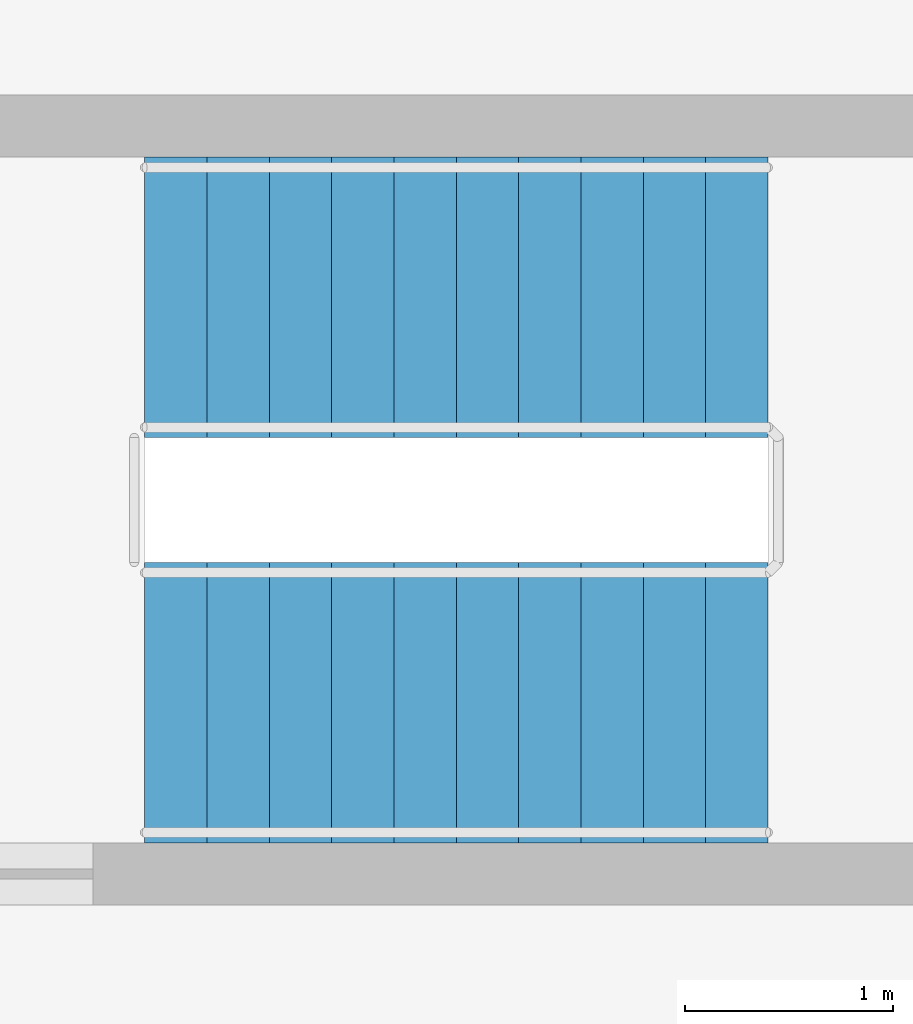
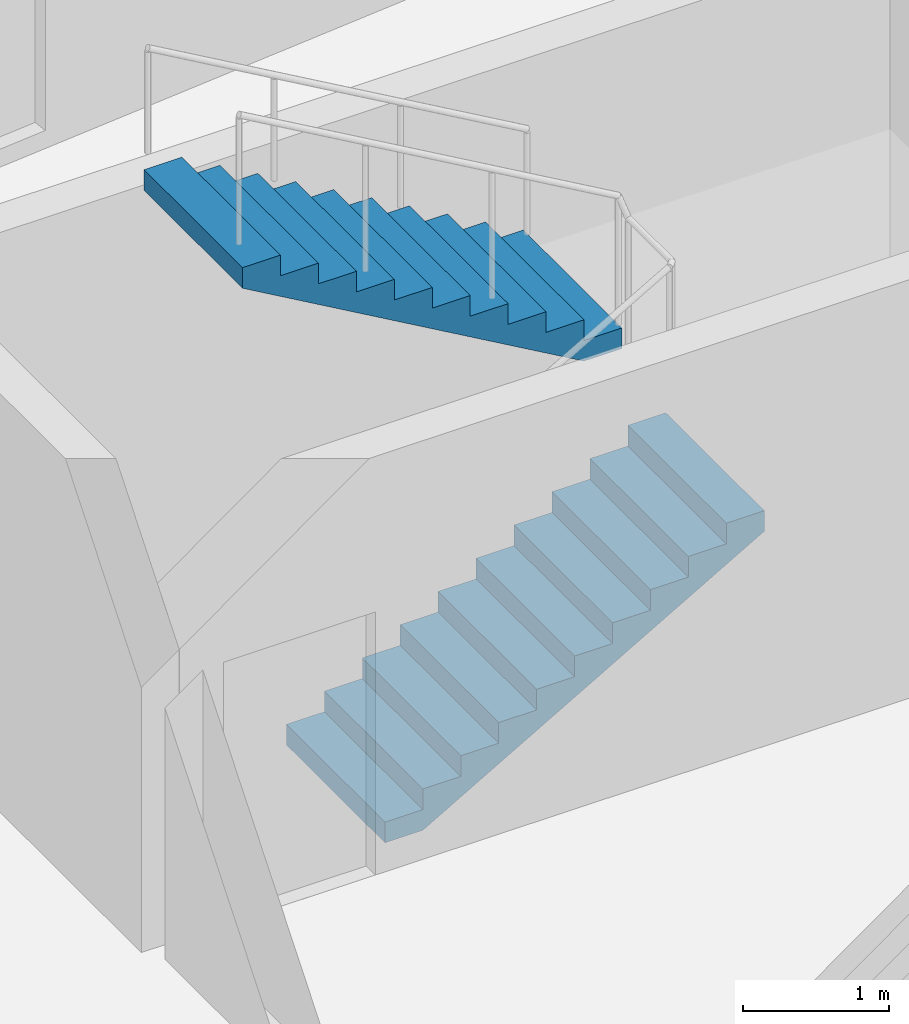
# One storey, part 9 of 11: 2 stair flights, 1 element without a shape of its own.
"""IFC4 building model written with IfcOpenShell, lengths in metres."""

from ifc_helpers import new_model, si_unit, direction, frame, origin, place, context, subcontext, project, spatial, polyline, outline, extrude, material, type_object, element, aggregate, save


model = new_model("IFC4")

# Units and contexts
model_context = context("Model", 3, precision=1e-05, world=origin(), true_north=direction((0.0, 1.0)))
body_context = subcontext(model_context, "Body", "Model", "MODEL_VIEW")
ifc_project = project(units=[si_unit("LENGTHUNIT", "METRE"), si_unit("AREAUNIT", "SQUARE_METRE"), si_unit("VOLUMEUNIT", "CUBIC_METRE"), si_unit("PLANEANGLEUNIT", "RADIAN"), si_unit("MASSUNIT", "GRAM", prefix="KILO")], contexts=[model_context])

# Site, building, storey
site_placement = place(None, origin())
site = spatial("IfcSite", under=ifc_project, at=site_placement, CompositionType="ELEMENT")
building_placement = place(site_placement, origin())
building = spatial("IfcBuilding", under=site, at=building_placement, Name="Brondeck Convention Tower", CompositionType="ELEMENT")
storey_placement = place(building_placement, frame((0.0, 0.0, 130.300048828125)))
storey = spatial("IfcBuildingStorey", under=building, at=storey_placement, Name="L31", CompositionType="ELEMENT", Elevation=130.300048828125)

# Stair, stair flights
ifc_material = material(Name="Precast concrete C50/60", Category="concrete")
stair_type = type_object("IfcStairType", Name="Core stair 22 risers 172.73 mm riser 300 mm going 1350 wide", PredefinedType="HALF_TURN_STAIR", material=ifc_material)
stair_placement = place(storey_placement, origin())
stair = element("IfcStair", 1, at=stair_placement, inside=storey, type_object=stair_type, Name="ST-AE L31 stair", PredefinedType="HALF_TURN_STAIR")
stair_flight_type = type_object("IfcStairFlightType", Name="Core stair flight 22 risers 172.73 mm riser 300 mm going 1350 wide", PredefinedType="STRAIGHT", material=ifc_material)
stair_flight_1_placement = place(storey_placement, frame((37.85009765625, 54.824951171875, 0.0), z_axis=(0.0, 0.0, 1.0), x_axis=(1.0, 0.0, 0.0)))
stair_flight_1 = element("IfcStairFlight", 2, at=stair_flight_1_placement, type_object=stair_flight_type, Name="ST-AE flight 1", NumberOfRisers=11, NumberOfTreads=10, PredefinedType="STRAIGHT", RiserHeight=0.172727273, TreadLength=0.3, context=body_context, shape_type="SweptSolid", body=[
    extrude(outline(polyline([(0.0, 0.0), (0.0, 0.172607421875), (0.300048828125, 0.172607421875), (0.300048828125, 0.345458984375), (0.60009765625, 0.345458984375), (0.60009765625, 0.51806640625), (0.89990234375, 0.51806640625), (0.89990234375, 0.69091796875), (1.199951171875, 0.69091796875), (1.199951171875, 0.863525390625), (1.5, 0.863525390625), (1.5, 1.036376953125), (1.800048828125, 1.036376953125), (1.800048828125, 1.208984375), (2.10009765625, 1.208984375), (2.10009765625, 1.3818359375), (2.39990234375, 1.3818359375), (2.39990234375, 1.554443359375), (2.699951171875, 1.554443359375), (2.699951171875, 1.727294921875), (3.0, 1.727294921875), (3.0, 1.89990234375), (3.0, 1.55419921875), (0.300537109375, 0.0), (0.0, 0.0)])), frame((0.0, 0.675048828125, 0.0), z_axis=(0.0, -1.0, 0.0), x_axis=(1.0, 0.0, 0.0)), (0.0, 0.0, 1.0), 1.35009765625),
])
stair_flight_2_placement = place(storey_placement, frame((40.85009765625, 56.77490234375, 1.89990234375), z_axis=(0.0, 0.0, 1.0), x_axis=(-1.0, 0.0, 0.0)))
stair_flight_2 = element("IfcStairFlight", 3, at=stair_flight_2_placement, type_object=stair_flight_type, Name="ST-AE flight 2", NumberOfRisers=11, NumberOfTreads=10, PredefinedType="STRAIGHT", RiserHeight=0.172727273, TreadLength=0.3, context=body_context, shape_type="SweptSolid", body=[
    extrude(outline(polyline([(0.0, 0.0), (0.0, 0.172607421875), (0.300048828125, 0.172607421875), (0.300048828125, 0.345458984375), (0.60009765625, 0.345458984375), (0.60009765625, 0.51806640625), (0.89990234375, 0.51806640625), (0.89990234375, 0.69091796875), (1.199951171875, 0.69091796875), (1.199951171875, 0.863525390625), (1.5, 0.863525390625), (1.5, 1.036376953125), (1.800048828125, 1.036376953125), (1.800048828125, 1.208984375), (2.10009765625, 1.208984375), (2.10009765625, 1.3818359375), (2.39990234375, 1.3818359375), (2.39990234375, 1.554443359375), (2.699951171875, 1.554443359375), (2.699951171875, 1.727294921875), (3.0, 1.727294921875), (3.0, 1.89990234375), (3.0, 1.55419921875), (0.300537109375, 0.0), (0.0, 0.0)])), frame((0.0, 0.675048828125, 0.0), z_axis=(0.0, -1.0, 0.0), x_axis=(1.0, 0.0, 0.0)), (0.0, 0.0, 1.0), 1.35009765625),
])
aggregate(stair, [stair_flight_1, stair_flight_2])

save(model, "model.ifc")
